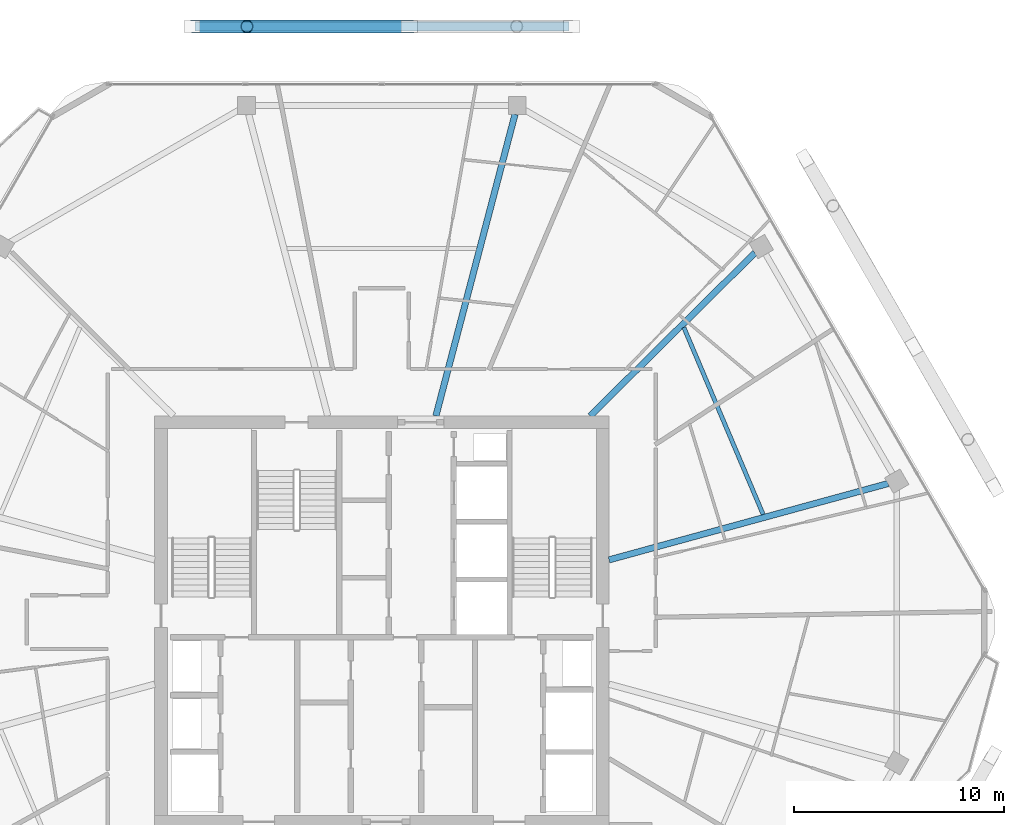
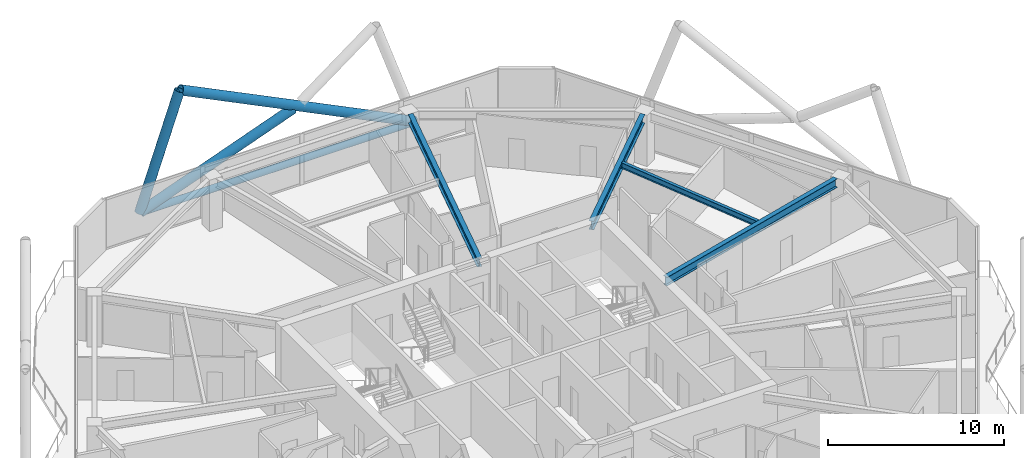
# One storey, part 16 of 29: 4 beams, 4 members.
"""IFC4 building model written with IfcOpenShell, lengths in metres."""

from ifc_helpers import new_model, si_unit, direction, frame, origin, origin_2d, place, context, subcontext, project, spatial, hollow_circle, i_section, extrude, material, material_profile, profile_set, type_object, element, save


model = new_model("IFC4")

# Units and contexts
model_context = context("Model", 3, precision=1e-05, world=origin(), true_north=direction((0.0, 1.0)))
body_context = subcontext(model_context, "Body", "Model", "MODEL_VIEW")
ifc_project = project(units=[si_unit("LENGTHUNIT", "METRE"), si_unit("AREAUNIT", "SQUARE_METRE"), si_unit("VOLUMEUNIT", "CUBIC_METRE"), si_unit("PLANEANGLEUNIT", "RADIAN"), si_unit("MASSUNIT", "GRAM", prefix="KILO")], contexts=[model_context])

# Site, building, storey
site_placement = place(None, origin())
site = spatial("IfcSite", under=ifc_project, at=site_placement, CompositionType="ELEMENT")
building_placement = place(site_placement, origin())
building = spatial("IfcBuilding", under=site, at=building_placement, Name="Zuhravey Tower", CompositionType="ELEMENT")
storey_placement = place(building_placement, frame((0.0, 0.0, 292.0)))
storey = spatial("IfcBuildingStorey", under=building, at=storey_placement, Name="L74", CompositionType="ELEMENT", Elevation=292.0)

# Members
ifc_material = material(Name="Steel SM355", Category="steel")
ifc_material_profile_1 = material_profile(ifc_material, hollow_circle(Radius=0.228515625, WallThickness=0.02197265625, at=origin_2d()), Name="CHS-457.2x22")
ifc_profile_set_1 = profile_set([ifc_material_profile_1], Name="Steel SM355")
member_type_1 = type_object("IfcMemberType", Name="Exoskeleton Ring Tie CHS457x22", PredefinedType="CHORD", material=ifc_profile_set_1)
member_1_placement = place(storey_placement, frame((44.888916015625, 60.323486328125, -0.464111328125), z_axis=(-1.0, 0.0, 0.0), x_axis=(0.0, -1.0, 0.0)))
element("IfcMember", 1, at=member_1_placement, inside=storey, type_object=member_type_1, Name="L74 Exoskeleton Face 2 Tie EXR1", PredefinedType="CHORD", context=body_context, shape_type="SweptSolid", body=[
    extrude(hollow_circle(Radius=0.228515625, WallThickness=0.02197265625, at=origin_2d()), origin(), (0.0, 0.0, 1.0), 17.77783203125),
])
ifc_material_profile_2 = material_profile(ifc_material, hollow_circle(Radius=0.3046875, WallThickness=0.028076171875, at=origin_2d()), Name="CHS-609.6x28")
ifc_profile_set_2 = profile_set([ifc_material_profile_2], Name="Steel SM355")
member_type_2 = type_object("IfcMemberType", Name="Exoskeleton Zone 3 Diagrid CHS610x28", PredefinedType="BRACE", material=ifc_profile_set_2)
member_2_placement = place(storey_placement, frame((44.992431640625, 60.323486328125, -0.446044921875), z_axis=(-0.897161810558, 0.0, 0.441702032683), x_axis=(0.0, -1.0, 0.0)))
element("IfcMember", 2, at=member_2_placement, inside=storey, type_object=member_type_2, Name="L74 Face 2 Diagrid Brace 2", PredefinedType="BRACE", context=body_context, shape_type="SweptSolid", body=[
    extrude(hollow_circle(Radius=0.3046875, WallThickness=0.028076171875, at=origin_2d()), origin(), (0.0, 0.0, 1.0), 17.12451171875),
])
member_3_placement = place(storey_placement, frame((26.977294921875, 60.323486328125, -0.446044921875), z_axis=(0.326060268586, 0.0, 0.945348983841), x_axis=(0.0, 1.0, 0.0)))
element("IfcMember", 3, at=member_3_placement, inside=storey, type_object=member_type_2, Name="L74 Face 2 Diagrid Brace 4", PredefinedType="BRACE", context=body_context, shape_type="SweptSolid", body=[
    extrude(hollow_circle(Radius=0.3046875, WallThickness=0.028076171875, at=origin_2d()), origin(), (0.0, 0.0, 1.0), 8.001220703125),
])
member_4_placement = place(storey_placement, frame((27.00927734375, 60.323486328125, -0.449951171875), z_axis=(0.93861991973, 0.0, 0.344953107373), x_axis=(0.0, 1.0, 0.0)))
element("IfcMember", 4, at=member_4_placement, inside=storey, type_object=member_type_2, Name="L74 Face 2 Split Diagrid Brace 3A", PredefinedType="BRACE", context=body_context, shape_type="SweptSolid", body=[
    extrude(hollow_circle(Radius=0.3046875, WallThickness=0.028076171875, at=origin_2d()), origin(), (0.0, 0.0, 1.0), 10.679931640625),
])

# Beams
ifc_material_profile_3 = material_profile(ifc_material, i_section(OverallWidth=0.300048828125, OverallDepth=0.60009765625, WebThickness=0.011962890625, FlangeThickness=0.02001953125, at=origin_2d()), Name="H-600x300x12x20")
ifc_profile_set_3 = profile_set([ifc_material_profile_3], Name="Steel SM355")
beam_type_1 = type_object("IfcBeamType", Name="Radial Primary Girder H600x300", PredefinedType="BEAM", material=ifc_profile_set_3)
beam_1_placement = place(storey_placement, frame((46.802978515625, 34.95556640625, 3.25), z_axis=(0.964549305009, 0.263902705947, 0.0), x_axis=(-0.263902705947, 0.964549305009, 0.0)))
element("IfcBeam", 5, at=beam_1_placement, inside=storey, type_object=beam_type_1, Name="L74 RG3 BM-L74-RAD-01", PredefinedType="BEAM", context=body_context, shape_type="SweptSolid", body=[
    extrude(i_section(OverallWidth=0.300048828125, OverallDepth=0.60009765625, WebThickness=0.011962890625, FlangeThickness=0.02001953125, at=origin_2d()), origin(), (0.0, 0.0, 1.0), 13.756591796875),
])
beam_2_placement = place(storey_placement, frame((45.90673828125, 41.802978515625, 3.25), z_axis=(0.710808169267, 0.70338591577, 0.0), x_axis=(-0.70338591577, 0.710808169267, 0.0)))
element("IfcBeam", 6, at=beam_2_placement, inside=storey, type_object=beam_type_1, Name="L74 RG3 BM-L74-RAD-02", PredefinedType="BEAM", context=body_context, shape_type="SweptSolid", body=[
    extrude(i_section(OverallWidth=0.300048828125, OverallDepth=0.60009765625, WebThickness=0.011962890625, FlangeThickness=0.02001953125, at=origin_2d()), origin(), (0.0, 0.0, 1.0), 11.019287109375),
])
beam_3_placement = place(storey_placement, frame((38.571533203125, 41.802978515625, 3.25), z_axis=(0.25373188956, 0.967274587809, 0.0), x_axis=(-0.967274587809, 0.25373188956, 0.0)))
element("IfcBeam", 7, at=beam_3_placement, inside=storey, type_object=beam_type_1, Name="L74 RG3 BM-L74-RAD-03", PredefinedType="BEAM", context=body_context, shape_type="SweptSolid", body=[
    extrude(i_section(OverallWidth=0.300048828125, OverallDepth=0.60009765625, WebThickness=0.011962890625, FlangeThickness=0.02001953125, at=origin_2d()), origin(), (0.0, 0.0, 1.0), 14.82177734375),
])
ifc_material_profile_4 = material_profile(ifc_material, i_section(OverallWidth=0.199951171875, OverallDepth=0.39990234375, WebThickness=0.008056640625, FlangeThickness=0.012939453125, at=origin_2d()), Name="H-400x200x8x13")
ifc_profile_set_4 = profile_set([ifc_material_profile_4], Name="Steel SM355")
beam_type_2 = type_object("IfcBeamType", Name="Secondary Floor Joist H400x200", PredefinedType="JOIST", material=ifc_profile_set_4)
beam_4_placement = place(storey_placement, frame((54.130859375, 37.118896484375, 3.35009765625), z_axis=(-0.390413493754, 0.920639616731, 0.0), x_axis=(-0.920639616731, -0.390413493754, 0.0)))
element("IfcBeam", 8, at=beam_4_placement, inside=storey, type_object=beam_type_2, Name="L74 SJ2 BM-L74-SJ-01-1", PredefinedType="JOIST", context=body_context, shape_type="SweptSolid", body=[
    extrude(i_section(OverallWidth=0.199951171875, OverallDepth=0.39990234375, WebThickness=0.008056640625, FlangeThickness=0.012939453125, at=origin_2d()), origin(), (0.0, 0.0, 1.0), 9.656494140625),
])

save(model, "model.ifc")
